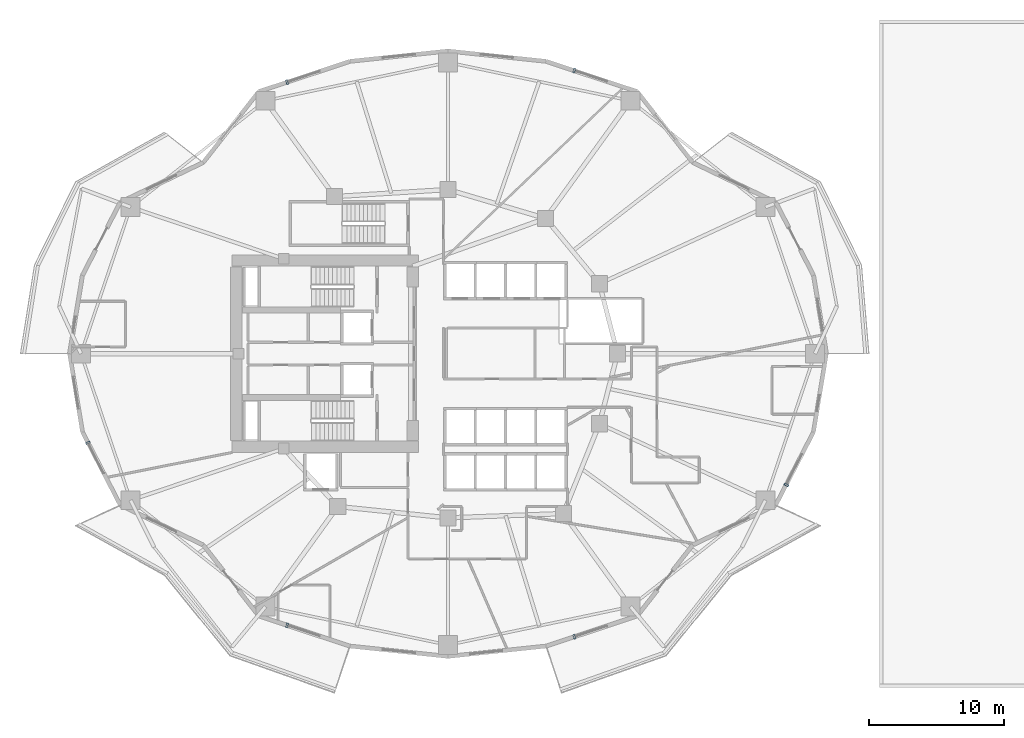
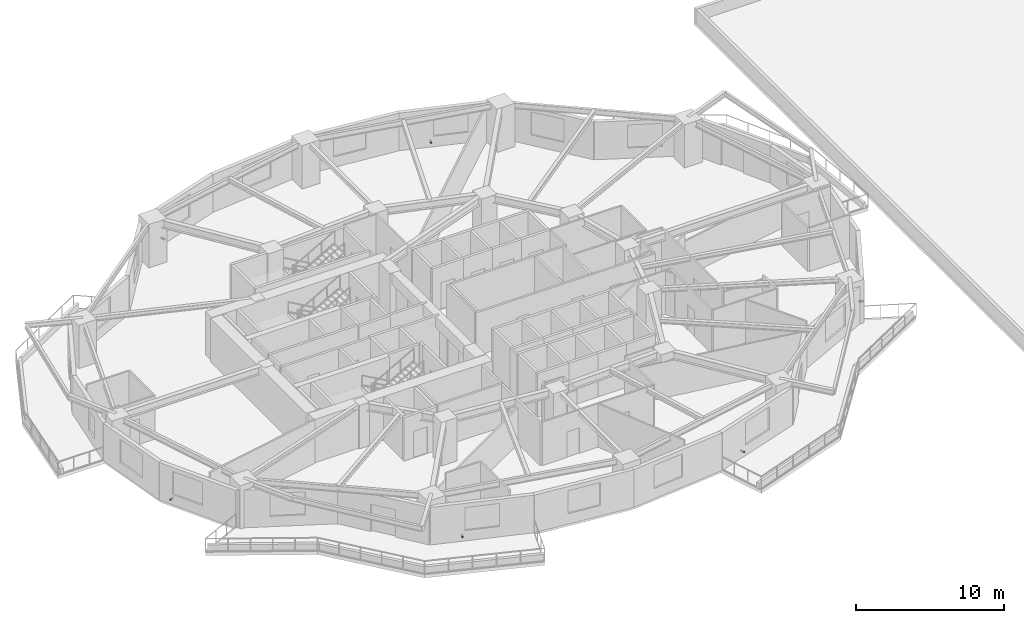
# One storey, part 8 of 13: 6 discrete accessories.
"""IFC4 building model written with IfcOpenShell, lengths in metres."""

from ifc_helpers import new_model, si_unit, direction, frame, origin, origin_2d, place, context, subcontext, project, spatial, rectangle, extrude, material, type_object, element, save


model = new_model("IFC4")

# Units and contexts
model_context = context("Model", 3, precision=1e-05, world=origin(), true_north=direction((0.0, 1.0)))
body_context = subcontext(model_context, "Body", "Model", "MODEL_VIEW")
ifc_project = project(units=[si_unit("LENGTHUNIT", "METRE"), si_unit("AREAUNIT", "SQUARE_METRE"), si_unit("VOLUMEUNIT", "CUBIC_METRE"), si_unit("PLANEANGLEUNIT", "RADIAN"), si_unit("MASSUNIT", "GRAM", prefix="KILO")], contexts=[model_context])

# Site, building, storey
site_placement = place(None, origin())
site = spatial("IfcSite", under=ifc_project, at=site_placement, CompositionType="ELEMENT")
building_placement = place(site_placement, origin())
building = spatial("IfcBuilding", under=site, at=building_placement, Name="Kolvaren Gate Tower and Convention Centre", CompositionType="ELEMENT")
storey_placement = place(building_placement, frame((0.0, 0.0, 26.5)))
storey = spatial("IfcBuildingStorey", under=building, at=storey_placement, Name="L05", CompositionType="ELEMENT", Elevation=26.5)

# Discrete accessories
ifc_material = material(Name="Anodized Architectural Aluminium Alloy 6063-T6", Category="aluminium")
discrete_accessory_type = type_object("IfcDiscreteAccessoryType", Name="ARCH-ACC-BRACKET-120", PredefinedType="BRACKET", material=ifc_material)
for number, where, z_axis, x_axis, name in (
    (1, (39.5048828125, 48.037109375, 0.2900390625), (0.0, 0.0, 1.0), (0.949242826568, -0.314544203905, 0.0), "Ceramic Fin Wall Anchor Bracket FBK-L05-04"),
    (2, (18.1630859375, 47.181640625, 0.2900390625), (0.0, 0.0, 1.0), (0.949242826568, 0.314544203905, 0.0), "Ceramic Fin Wall Anchor Bracket FBK-L05-07"),
    (3, (3.367431640625, 20.38623046875, 0.2900390625), (0.0, 0.0, 1.0), (0.459789110083, -0.888028138208, 0.0), "Ceramic Fin Wall Anchor Bracket FBK-L05-13"),
    (4, (18.1630859375, 6.818359375, 0.2900390625), (0.0, 0.0, 1.0), (0.949242826568, -0.314544203905, 0.0), "Ceramic Fin Wall Anchor Bracket FBK-L05-16"),
    (5, (39.5048828125, 5.962890625, 0.2900390625), (0.0, 0.0, 1.0), (0.949242826568, 0.314544203905, 0.0), "Ceramic Fin Wall Anchor Bracket FBK-L05-19"),
    (6, (55.26123046875, 17.255126953125, 0.2900390625), (0.0, 0.0, 1.0), (0.459789110083, 0.888028138208, 0.0), "Ceramic Fin Wall Anchor Bracket FBK-L05-22"),
):
    element("IfcDiscreteAccessory", number, at=place(storey_placement, frame(where, z_axis=z_axis, x_axis=x_axis)), inside=storey, type_object=discrete_accessory_type, Name=name, PredefinedType="BRACKET", context=body_context, shape_type="SweptSolid", body=[
        extrude(rectangle(XDim=0.1201171875, YDim=0.320068359375, at=origin_2d()), origin(), (0.0, 0.0, 1.0), 0.1201171875),
    ])

save(model, "model.ifc")
